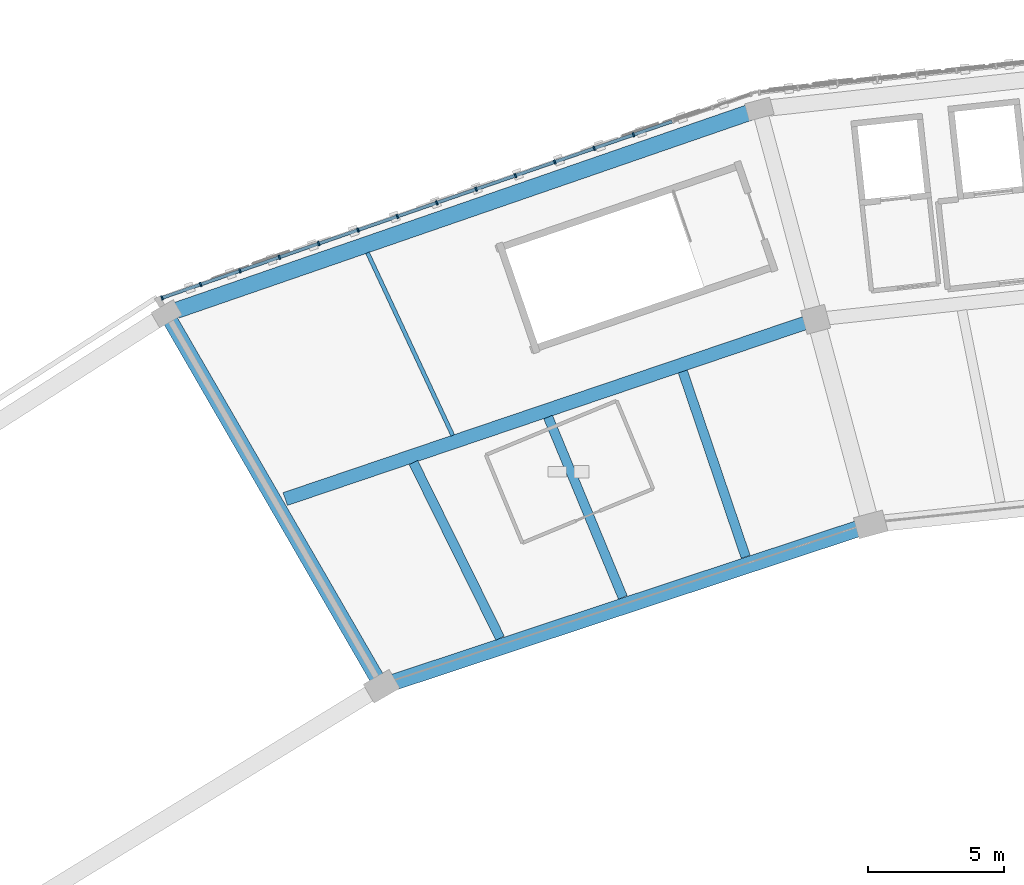
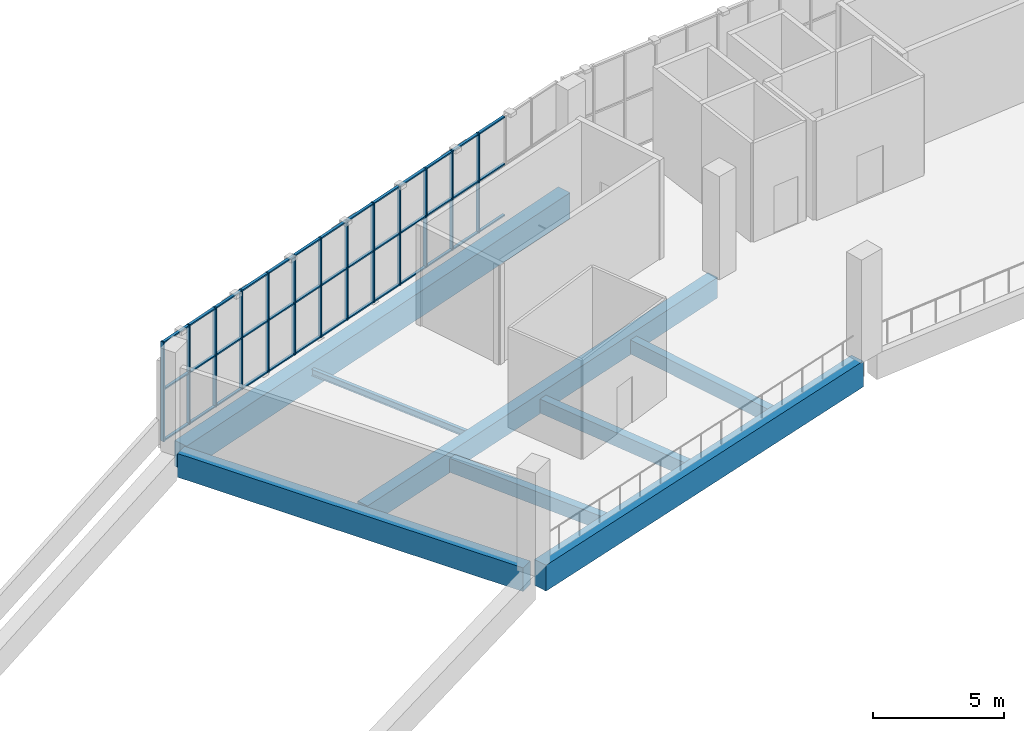
# One storey, part 25 of 64: 52 members, 8 beams, 1 element without a shape of its own.
"""IFC4 building model written with IfcOpenShell, lengths in metres."""

from ifc_helpers import new_model, si_unit, direction, frame, origin, origin_2d, place, context, subcontext, project, spatial, rectangle, i_section, extrude, material, material_profile, profile_set, type_object, element, aggregate, save


model = new_model("IFC4")

# Units and contexts
model_context = context("Model", 3, precision=1e-05, world=origin(), true_north=direction((0.0, 1.0)))
body_context = subcontext(model_context, "Body", "Model", "MODEL_VIEW")
ifc_project = project(units=[si_unit("LENGTHUNIT", "METRE"), si_unit("AREAUNIT", "SQUARE_METRE"), si_unit("VOLUMEUNIT", "CUBIC_METRE"), si_unit("PLANEANGLEUNIT", "RADIAN"), si_unit("MASSUNIT", "GRAM", prefix="KILO")], contexts=[model_context])

# Site, building, storey
site_placement = place(None, origin())
site = spatial("IfcSite", under=ifc_project, at=site_placement, CompositionType="ELEMENT")
building_placement = place(site_placement, origin())
building = spatial("IfcBuilding", under=site, at=building_placement, Name="Zevraka Park Crest Stadium", CompositionType="ELEMENT")
storey_placement = place(building_placement, frame((0.0, 0.0, 24.60009765625)))
storey = spatial("IfcBuildingStorey", under=building, at=storey_placement, Name="L05", CompositionType="ELEMENT", Elevation=24.60009765625)

# Beam
ifc_material_1 = material(Name="Concrete C40/50", Category="concrete")
ifc_material_profile_1 = material_profile(ifc_material_1, rectangle(XDim=0.550048828125, YDim=1.10009765625, at=origin_2d()), Name="RC 1100x550")
ifc_profile_set_1 = profile_set([ifc_material_profile_1], Name="Concrete C40/50")
beam_type_1 = type_object("IfcBeamType", Name="BG02", PredefinedType="BEAM", material=ifc_profile_set_1)
beam_1_placement = place(storey_placement, frame((74.60009765625, 143.7890625, -0.56005859375), z_axis=(-0.500026023896, 0.86601037836, 0.0), x_axis=(-0.86601037836, -0.500026023896, 0.0)))
element("IfcBeam", 1, at=beam_1_placement, inside=storey, type_object=beam_type_1, Name="Radial Girder BG02 L05-BD-08", PredefinedType="BEAM", context=body_context, shape_type="SweptSolid", body=[
    extrude(rectangle(XDim=0.550048828125, YDim=1.10009765625, at=origin_2d()), origin(), (0.0, 0.0, 1.0), 15.199462890625),
])

# Curtain wall, members
ifc_material_2 = material(Name="Anodised architectural aluminium and laminated safety glass", Category="aluminium")
curtain_wall_type = type_object("IfcCurtainWallType", Name="CW22", PredefinedType="NOTDEFINED", material=ifc_material_2)
curtain_wall_placement = place(storey_placement, origin())
curtain_wall = element("IfcCurtainWall", 2, at=curtain_wall_placement, inside=storey, type_object=curtain_wall_type, Name="Unitised Ring Curtain Wall CW22 L05-07", PredefinedType="NOTDEFINED")
ifc_material_3 = material(Name="Anodised architectural aluminium", Category="aluminium")
ifc_material_profile_2 = material_profile(ifc_material_3, rectangle(XDim=0.159912109375, YDim=0.06005859375, at=origin_2d()), Name="ALU MULLION 160x60")
ifc_profile_set_2 = profile_set([ifc_material_profile_2], Name="Anodised architectural aluminium")
member_type_1 = type_object("IfcMemberType", Name="CM01", PredefinedType="MULLION", material=ifc_profile_set_2)
member_1_placement = place(storey_placement, frame((84.00439453125, 163.788818359375, 0.0), z_axis=(0.0, 0.0, 1.0), x_axis=(0.326929424834, -0.945048755979, 0.0)))
member_1 = element("IfcMember", 3, at=member_1_placement, type_object=member_type_1, Name="CW22 mullion 4", PredefinedType="MULLION", context=body_context, shape_type="SweptSolid", body=[
    extrude(rectangle(XDim=0.159912109375, YDim=0.06005859375, at=origin_2d()), origin(), (0.0, 0.0, 1.0), 4.619873046875),
])
member_2_placement = place(storey_placement, frame((82.558837890625, 163.288818359375, 0.0), z_axis=(0.0, 0.0, 1.0), x_axis=(0.326929424834, -0.945048755979, 0.0)))
member_2 = element("IfcMember", 4, at=member_2_placement, type_object=member_type_1, Name="CW22 mullion 5", PredefinedType="MULLION", context=body_context, shape_type="SweptSolid", body=[
    extrude(rectangle(XDim=0.159912109375, YDim=0.06005859375, at=origin_2d()), origin(), (0.0, 0.0, 1.0), 4.619873046875),
])
member_3_placement = place(storey_placement, frame((81.11328125, 162.78857421875, 0.0), z_axis=(0.0, 0.0, 1.0), x_axis=(0.326929424834, -0.945048755979, 0.0)))
member_3 = element("IfcMember", 5, at=member_3_placement, type_object=member_type_1, Name="CW22 mullion 6", PredefinedType="MULLION", context=body_context, shape_type="SweptSolid", body=[
    extrude(rectangle(XDim=0.159912109375, YDim=0.06005859375, at=origin_2d()), origin(), (0.0, 0.0, 1.0), 4.619873046875),
])
member_4_placement = place(storey_placement, frame((79.667724609375, 162.28857421875, 0.0), z_axis=(0.0, 0.0, 1.0), x_axis=(0.326929424834, -0.945048755979, 0.0)))
member_4 = element("IfcMember", 6, at=member_4_placement, type_object=member_type_1, Name="CW22 mullion 7", PredefinedType="MULLION", context=body_context, shape_type="SweptSolid", body=[
    extrude(rectangle(XDim=0.159912109375, YDim=0.06005859375, at=origin_2d()), origin(), (0.0, 0.0, 1.0), 4.619873046875),
])
member_5_placement = place(storey_placement, frame((78.22216796875, 161.78857421875, 0.0), z_axis=(0.0, 0.0, 1.0), x_axis=(0.326929424834, -0.945048755979, 0.0)))
member_5 = element("IfcMember", 7, at=member_5_placement, type_object=member_type_1, Name="CW22 mullion 8", PredefinedType="MULLION", context=body_context, shape_type="SweptSolid", body=[
    extrude(rectangle(XDim=0.159912109375, YDim=0.06005859375, at=origin_2d()), origin(), (0.0, 0.0, 1.0), 4.619873046875),
])
member_6_placement = place(storey_placement, frame((76.776611328125, 161.28857421875, 0.0), z_axis=(0.0, 0.0, 1.0), x_axis=(0.326929424834, -0.945048755979, 0.0)))
member_6 = element("IfcMember", 8, at=member_6_placement, type_object=member_type_1, Name="CW22 mullion 9", PredefinedType="MULLION", context=body_context, shape_type="SweptSolid", body=[
    extrude(rectangle(XDim=0.159912109375, YDim=0.06005859375, at=origin_2d()), origin(), (0.0, 0.0, 1.0), 4.619873046875),
])
member_7_placement = place(storey_placement, frame((75.331298828125, 160.788330078125, 0.0), z_axis=(0.0, 0.0, 1.0), x_axis=(0.326929424834, -0.945048755979, 0.0)))
member_7 = element("IfcMember", 9, at=member_7_placement, type_object=member_type_1, Name="CW22 mullion 10", PredefinedType="MULLION", context=body_context, shape_type="SweptSolid", body=[
    extrude(rectangle(XDim=0.159912109375, YDim=0.06005859375, at=origin_2d()), origin(), (0.0, 0.0, 1.0), 4.619873046875),
])
member_8_placement = place(storey_placement, frame((73.8857421875, 160.288330078125, 0.0), z_axis=(0.0, 0.0, 1.0), x_axis=(0.326929424834, -0.945048755979, 0.0)))
member_8 = element("IfcMember", 10, at=member_8_placement, type_object=member_type_1, Name="CW22 mullion 11", PredefinedType="MULLION", context=body_context, shape_type="SweptSolid", body=[
    extrude(rectangle(XDim=0.159912109375, YDim=0.06005859375, at=origin_2d()), origin(), (0.0, 0.0, 1.0), 4.619873046875),
])
member_9_placement = place(storey_placement, frame((72.440185546875, 159.788330078125, 0.0), z_axis=(0.0, 0.0, 1.0), x_axis=(0.326929424834, -0.945048755979, 0.0)))
member_9 = element("IfcMember", 11, at=member_9_placement, type_object=member_type_1, Name="CW22 mullion 12", PredefinedType="MULLION", context=body_context, shape_type="SweptSolid", body=[
    extrude(rectangle(XDim=0.159912109375, YDim=0.06005859375, at=origin_2d()), origin(), (0.0, 0.0, 1.0), 4.619873046875),
])
member_10_placement = place(storey_placement, frame((70.99462890625, 159.2880859375, 0.0), z_axis=(0.0, 0.0, 1.0), x_axis=(0.326929424834, -0.945048755979, 0.0)))
member_10 = element("IfcMember", 12, at=member_10_placement, type_object=member_type_1, Name="CW22 mullion 13", PredefinedType="MULLION", context=body_context, shape_type="SweptSolid", body=[
    extrude(rectangle(XDim=0.159912109375, YDim=0.06005859375, at=origin_2d()), origin(), (0.0, 0.0, 1.0), 4.619873046875),
])
member_11_placement = place(storey_placement, frame((69.549072265625, 158.7880859375, 0.0), z_axis=(0.0, 0.0, 1.0), x_axis=(0.326929424834, -0.945048755979, 0.0)))
member_11 = element("IfcMember", 13, at=member_11_placement, type_object=member_type_1, Name="CW22 mullion 14", PredefinedType="MULLION", context=body_context, shape_type="SweptSolid", body=[
    extrude(rectangle(XDim=0.159912109375, YDim=0.06005859375, at=origin_2d()), origin(), (0.0, 0.0, 1.0), 4.619873046875),
])
member_12_placement = place(storey_placement, frame((68.103515625, 158.2880859375, 0.0), z_axis=(0.0, 0.0, 1.0), x_axis=(0.326929424834, -0.945048755979, 0.0)))
member_12 = element("IfcMember", 14, at=member_12_placement, type_object=member_type_1, Name="CW22 mullion 15", PredefinedType="MULLION", context=body_context, shape_type="SweptSolid", body=[
    extrude(rectangle(XDim=0.159912109375, YDim=0.06005859375, at=origin_2d()), origin(), (0.0, 0.0, 1.0), 4.619873046875),
])
member_13_placement = place(storey_placement, frame((66.686279296875, 157.7978515625, 0.0), z_axis=(0.0, 0.0, 1.0), x_axis=(0.326929424834, -0.945048755979, 0.0)))
member_13 = element("IfcMember", 15, at=member_13_placement, type_object=member_type_1, Name="CW22 mullion 16", PredefinedType="MULLION", context=body_context, shape_type="SweptSolid", body=[
    extrude(rectangle(XDim=0.159912109375, YDim=0.06005859375, at=origin_2d()), origin(), (0.0, 0.0, 1.0), 4.619873046875),
])
ifc_material_4 = material(Name="Anodised architectural aluminium", Category="aluminium")
ifc_material_profile_3 = material_profile(ifc_material_4, rectangle(XDim=0.1201171875, YDim=0.06005859375, at=origin_2d()), Name="ALU TRANSOM 120x60")
ifc_profile_set_3 = profile_set([ifc_material_profile_3], Name="Anodised architectural aluminium")
member_type_2 = type_object("IfcMemberType", Name="CT01", PredefinedType="USERDEFINED", material=ifc_profile_set_3)
member_14_placement = place(storey_placement, frame((85.421630859375, 164.279052734375, 0.02978515625), z_axis=(-0.945051229525, -0.326922274513, 0.0), x_axis=(0.326922274513, -0.945051229525, 0.0)))
member_14 = element("IfcMember", 16, at=member_14_placement, type_object=member_type_2, Name="CW22 transom 3.1", ObjectType="TRANSOM", PredefinedType="USERDEFINED", context=body_context, shape_type="SweptSolid", body=[
    extrude(rectangle(XDim=0.1201171875, YDim=0.06005859375, at=origin_2d()), origin(), (0.0, 0.0, 1.0), 1.4697265625),
])
member_15_placement = place(storey_placement, frame((85.421630859375, 164.279052734375, 2.39990234375), z_axis=(-0.945051229525, -0.326922274513, 0.0), x_axis=(0.326922274513, -0.945051229525, 0.0)))
member_15 = element("IfcMember", 17, at=member_15_placement, type_object=member_type_2, Name="CW22 transom 3.2", ObjectType="TRANSOM", PredefinedType="USERDEFINED", context=body_context, shape_type="SweptSolid", body=[
    extrude(rectangle(XDim=0.1201171875, YDim=0.06005859375, at=origin_2d()), origin(), (0.0, 0.0, 1.0), 1.4697265625),
])
member_16_placement = place(storey_placement, frame((85.421630859375, 164.279052734375, 4.58984375), z_axis=(-0.945051229525, -0.326922274513, 0.0), x_axis=(0.326922274513, -0.945051229525, 0.0)))
member_16 = element("IfcMember", 18, at=member_16_placement, type_object=member_type_2, Name="CW22 transom 3.3", ObjectType="TRANSOM", PredefinedType="USERDEFINED", context=body_context, shape_type="SweptSolid", body=[
    extrude(rectangle(XDim=0.1201171875, YDim=0.06005859375, at=origin_2d()), origin(), (0.0, 0.0, 1.0), 1.4697265625),
])
member_17_placement = place(storey_placement, frame((83.97607421875, 163.779052734375, 0.02978515625), z_axis=(-0.945051229525, -0.326922274513, 0.0), x_axis=(0.326922274513, -0.945051229525, 0.0)))
member_17 = element("IfcMember", 19, at=member_17_placement, type_object=member_type_2, Name="CW22 transom 4.1", ObjectType="TRANSOM", PredefinedType="USERDEFINED", context=body_context, shape_type="SweptSolid", body=[
    extrude(rectangle(XDim=0.1201171875, YDim=0.06005859375, at=origin_2d()), origin(), (0.0, 0.0, 1.0), 1.4697265625),
])
member_18_placement = place(storey_placement, frame((83.97607421875, 163.779052734375, 2.39990234375), z_axis=(-0.945051229525, -0.326922274513, 0.0), x_axis=(0.326922274513, -0.945051229525, 0.0)))
member_18 = element("IfcMember", 20, at=member_18_placement, type_object=member_type_2, Name="CW22 transom 4.2", ObjectType="TRANSOM", PredefinedType="USERDEFINED", context=body_context, shape_type="SweptSolid", body=[
    extrude(rectangle(XDim=0.1201171875, YDim=0.06005859375, at=origin_2d()), origin(), (0.0, 0.0, 1.0), 1.4697265625),
])
member_19_placement = place(storey_placement, frame((83.97607421875, 163.779052734375, 4.58984375), z_axis=(-0.945051229525, -0.326922274513, 0.0), x_axis=(0.326922274513, -0.945051229525, 0.0)))
member_19 = element("IfcMember", 21, at=member_19_placement, type_object=member_type_2, Name="CW22 transom 4.3", ObjectType="TRANSOM", PredefinedType="USERDEFINED", context=body_context, shape_type="SweptSolid", body=[
    extrude(rectangle(XDim=0.1201171875, YDim=0.06005859375, at=origin_2d()), origin(), (0.0, 0.0, 1.0), 1.4697265625),
])
member_20_placement = place(storey_placement, frame((82.530517578125, 163.27880859375, 0.02978515625), z_axis=(-0.945102544521, -0.326773897886, 0.0), x_axis=(0.326773897886, -0.945102544521, 0.0)))
member_20 = element("IfcMember", 22, at=member_20_placement, type_object=member_type_2, Name="CW22 transom 5.1", ObjectType="TRANSOM", PredefinedType="USERDEFINED", context=body_context, shape_type="SweptSolid", body=[
    extrude(rectangle(XDim=0.1201171875, YDim=0.06005859375, at=origin_2d()), origin(), (0.0, 0.0, 1.0), 1.469482421875),
])
member_21_placement = place(storey_placement, frame((82.530517578125, 163.27880859375, 2.39990234375), z_axis=(-0.945102544521, -0.326773897886, 0.0), x_axis=(0.326773897886, -0.945102544521, 0.0)))
member_21 = element("IfcMember", 23, at=member_21_placement, type_object=member_type_2, Name="CW22 transom 5.2", ObjectType="TRANSOM", PredefinedType="USERDEFINED", context=body_context, shape_type="SweptSolid", body=[
    extrude(rectangle(XDim=0.1201171875, YDim=0.06005859375, at=origin_2d()), origin(), (0.0, 0.0, 1.0), 1.469482421875),
])
member_22_placement = place(storey_placement, frame((82.530517578125, 163.27880859375, 4.58984375), z_axis=(-0.945102544521, -0.326773897886, 0.0), x_axis=(0.326773897886, -0.945102544521, 0.0)))
member_22 = element("IfcMember", 24, at=member_22_placement, type_object=member_type_2, Name="CW22 transom 5.3", ObjectType="TRANSOM", PredefinedType="USERDEFINED", context=body_context, shape_type="SweptSolid", body=[
    extrude(rectangle(XDim=0.1201171875, YDim=0.06005859375, at=origin_2d()), origin(), (0.0, 0.0, 1.0), 1.469482421875),
])
member_23_placement = place(storey_placement, frame((81.0849609375, 162.77880859375, 0.02978515625), z_axis=(-0.945051229525, -0.326922274513, 0.0), x_axis=(0.326922274513, -0.945051229525, 0.0)))
member_23 = element("IfcMember", 25, at=member_23_placement, type_object=member_type_2, Name="CW22 transom 6.1", ObjectType="TRANSOM", PredefinedType="USERDEFINED", context=body_context, shape_type="SweptSolid", body=[
    extrude(rectangle(XDim=0.1201171875, YDim=0.06005859375, at=origin_2d()), origin(), (0.0, 0.0, 1.0), 1.4697265625),
])
member_24_placement = place(storey_placement, frame((81.0849609375, 162.77880859375, 2.39990234375), z_axis=(-0.945051229525, -0.326922274513, 0.0), x_axis=(0.326922274513, -0.945051229525, 0.0)))
member_24 = element("IfcMember", 26, at=member_24_placement, type_object=member_type_2, Name="CW22 transom 6.2", ObjectType="TRANSOM", PredefinedType="USERDEFINED", context=body_context, shape_type="SweptSolid", body=[
    extrude(rectangle(XDim=0.1201171875, YDim=0.06005859375, at=origin_2d()), origin(), (0.0, 0.0, 1.0), 1.4697265625),
])
member_25_placement = place(storey_placement, frame((81.0849609375, 162.77880859375, 4.58984375), z_axis=(-0.945051229525, -0.326922274513, 0.0), x_axis=(0.326922274513, -0.945051229525, 0.0)))
member_25 = element("IfcMember", 27, at=member_25_placement, type_object=member_type_2, Name="CW22 transom 6.3", ObjectType="TRANSOM", PredefinedType="USERDEFINED", context=body_context, shape_type="SweptSolid", body=[
    extrude(rectangle(XDim=0.1201171875, YDim=0.06005859375, at=origin_2d()), origin(), (0.0, 0.0, 1.0), 1.4697265625),
])
member_26_placement = place(storey_placement, frame((79.639404296875, 162.27880859375, 0.02978515625), z_axis=(-0.945033470844, -0.326973605946, 0.0), x_axis=(0.326973605946, -0.945033470844, 0.0)))
member_26 = element("IfcMember", 28, at=member_26_placement, type_object=member_type_2, Name="CW22 transom 7.1", ObjectType="TRANSOM", PredefinedType="USERDEFINED", context=body_context, shape_type="SweptSolid", body=[
    extrude(rectangle(XDim=0.1201171875, YDim=0.06005859375, at=origin_2d()), origin(), (0.0, 0.0, 1.0), 1.469482421875),
])
member_27_placement = place(storey_placement, frame((79.639404296875, 162.27880859375, 2.39990234375), z_axis=(-0.945033470844, -0.326973605946, 0.0), x_axis=(0.326973605946, -0.945033470844, 0.0)))
member_27 = element("IfcMember", 29, at=member_27_placement, type_object=member_type_2, Name="CW22 transom 7.2", ObjectType="TRANSOM", PredefinedType="USERDEFINED", context=body_context, shape_type="SweptSolid", body=[
    extrude(rectangle(XDim=0.1201171875, YDim=0.06005859375, at=origin_2d()), origin(), (0.0, 0.0, 1.0), 1.469482421875),
])
member_28_placement = place(storey_placement, frame((79.639404296875, 162.27880859375, 4.58984375), z_axis=(-0.945033470844, -0.326973605946, 0.0), x_axis=(0.326973605946, -0.945033470844, 0.0)))
member_28 = element("IfcMember", 30, at=member_28_placement, type_object=member_type_2, Name="CW22 transom 7.3", ObjectType="TRANSOM", PredefinedType="USERDEFINED", context=body_context, shape_type="SweptSolid", body=[
    extrude(rectangle(XDim=0.1201171875, YDim=0.06005859375, at=origin_2d()), origin(), (0.0, 0.0, 1.0), 1.469482421875),
])
member_29_placement = place(storey_placement, frame((78.19384765625, 161.77880859375, 0.02978515625), z_axis=(-0.945033470844, -0.326973605946, 0.0), x_axis=(0.326973605946, -0.945033470844, 0.0)))
member_29 = element("IfcMember", 31, at=member_29_placement, type_object=member_type_2, Name="CW22 transom 8.1", ObjectType="TRANSOM", PredefinedType="USERDEFINED", context=body_context, shape_type="SweptSolid", body=[
    extrude(rectangle(XDim=0.1201171875, YDim=0.06005859375, at=origin_2d()), origin(), (0.0, 0.0, 1.0), 1.469482421875),
])
member_30_placement = place(storey_placement, frame((78.19384765625, 161.77880859375, 2.39990234375), z_axis=(-0.945033470844, -0.326973605946, 0.0), x_axis=(0.326973605946, -0.945033470844, 0.0)))
member_30 = element("IfcMember", 32, at=member_30_placement, type_object=member_type_2, Name="CW22 transom 8.2", ObjectType="TRANSOM", PredefinedType="USERDEFINED", context=body_context, shape_type="SweptSolid", body=[
    extrude(rectangle(XDim=0.1201171875, YDim=0.06005859375, at=origin_2d()), origin(), (0.0, 0.0, 1.0), 1.469482421875),
])
member_31_placement = place(storey_placement, frame((78.19384765625, 161.77880859375, 4.58984375), z_axis=(-0.945033470844, -0.326973605946, 0.0), x_axis=(0.326973605946, -0.945033470844, 0.0)))
member_31 = element("IfcMember", 33, at=member_31_placement, type_object=member_type_2, Name="CW22 transom 8.3", ObjectType="TRANSOM", PredefinedType="USERDEFINED", context=body_context, shape_type="SweptSolid", body=[
    extrude(rectangle(XDim=0.1201171875, YDim=0.06005859375, at=origin_2d()), origin(), (0.0, 0.0, 1.0), 1.469482421875),
])
member_32_placement = place(storey_placement, frame((76.748291015625, 161.278564453125, 0.02978515625), z_axis=(-0.945033470844, -0.326973605946, 0.0), x_axis=(0.326973605946, -0.945033470844, 0.0)))
member_32 = element("IfcMember", 34, at=member_32_placement, type_object=member_type_2, Name="CW22 transom 9.1", ObjectType="TRANSOM", PredefinedType="USERDEFINED", context=body_context, shape_type="SweptSolid", body=[
    extrude(rectangle(XDim=0.1201171875, YDim=0.06005859375, at=origin_2d()), origin(), (0.0, 0.0, 1.0), 1.469482421875),
])
member_33_placement = place(storey_placement, frame((76.748291015625, 161.278564453125, 2.39990234375), z_axis=(-0.945033470844, -0.326973605946, 0.0), x_axis=(0.326973605946, -0.945033470844, 0.0)))
member_33 = element("IfcMember", 35, at=member_33_placement, type_object=member_type_2, Name="CW22 transom 9.2", ObjectType="TRANSOM", PredefinedType="USERDEFINED", context=body_context, shape_type="SweptSolid", body=[
    extrude(rectangle(XDim=0.1201171875, YDim=0.06005859375, at=origin_2d()), origin(), (0.0, 0.0, 1.0), 1.469482421875),
])
member_34_placement = place(storey_placement, frame((76.748291015625, 161.278564453125, 4.58984375), z_axis=(-0.945033470844, -0.326973605946, 0.0), x_axis=(0.326973605946, -0.945033470844, 0.0)))
member_34 = element("IfcMember", 36, at=member_34_placement, type_object=member_type_2, Name="CW22 transom 9.3", ObjectType="TRANSOM", PredefinedType="USERDEFINED", context=body_context, shape_type="SweptSolid", body=[
    extrude(rectangle(XDim=0.1201171875, YDim=0.06005859375, at=origin_2d()), origin(), (0.0, 0.0, 1.0), 1.469482421875),
])
member_35_placement = place(storey_placement, frame((75.302734375, 160.778564453125, 0.02978515625), z_axis=(-0.945033470844, -0.326973605946, 0.0), x_axis=(0.326973605946, -0.945033470844, 0.0)))
member_35 = element("IfcMember", 37, at=member_35_placement, type_object=member_type_2, Name="CW22 transom 10.1", ObjectType="TRANSOM", PredefinedType="USERDEFINED", context=body_context, shape_type="SweptSolid", body=[
    extrude(rectangle(XDim=0.1201171875, YDim=0.06005859375, at=origin_2d()), origin(), (0.0, 0.0, 1.0), 1.469482421875),
])
member_36_placement = place(storey_placement, frame((75.302734375, 160.778564453125, 2.39990234375), z_axis=(-0.945033470844, -0.326973605946, 0.0), x_axis=(0.326973605946, -0.945033470844, 0.0)))
member_36 = element("IfcMember", 38, at=member_36_placement, type_object=member_type_2, Name="CW22 transom 10.2", ObjectType="TRANSOM", PredefinedType="USERDEFINED", context=body_context, shape_type="SweptSolid", body=[
    extrude(rectangle(XDim=0.1201171875, YDim=0.06005859375, at=origin_2d()), origin(), (0.0, 0.0, 1.0), 1.469482421875),
])
member_37_placement = place(storey_placement, frame((75.302734375, 160.778564453125, 4.58984375), z_axis=(-0.945033470844, -0.326973605946, 0.0), x_axis=(0.326973605946, -0.945033470844, 0.0)))
member_37 = element("IfcMember", 39, at=member_37_placement, type_object=member_type_2, Name="CW22 transom 10.3", ObjectType="TRANSOM", PredefinedType="USERDEFINED", context=body_context, shape_type="SweptSolid", body=[
    extrude(rectangle(XDim=0.1201171875, YDim=0.06005859375, at=origin_2d()), origin(), (0.0, 0.0, 1.0), 1.469482421875),
])
member_38_placement = place(storey_placement, frame((73.857421875, 160.278564453125, 0.02978515625), z_axis=(-0.945051229525, -0.326922274513, 0.0), x_axis=(0.326922274513, -0.945051229525, 0.0)))
member_38 = element("IfcMember", 40, at=member_38_placement, type_object=member_type_2, Name="CW22 transom 11.1", ObjectType="TRANSOM", PredefinedType="USERDEFINED", context=body_context, shape_type="SweptSolid", body=[
    extrude(rectangle(XDim=0.1201171875, YDim=0.06005859375, at=origin_2d()), origin(), (0.0, 0.0, 1.0), 1.4697265625),
])
member_39_placement = place(storey_placement, frame((73.857421875, 160.278564453125, 2.39990234375), z_axis=(-0.945051229525, -0.326922274513, 0.0), x_axis=(0.326922274513, -0.945051229525, 0.0)))
member_39 = element("IfcMember", 41, at=member_39_placement, type_object=member_type_2, Name="CW22 transom 11.2", ObjectType="TRANSOM", PredefinedType="USERDEFINED", context=body_context, shape_type="SweptSolid", body=[
    extrude(rectangle(XDim=0.1201171875, YDim=0.06005859375, at=origin_2d()), origin(), (0.0, 0.0, 1.0), 1.4697265625),
])
member_40_placement = place(storey_placement, frame((73.857421875, 160.278564453125, 4.58984375), z_axis=(-0.945051229525, -0.326922274513, 0.0), x_axis=(0.326922274513, -0.945051229525, 0.0)))
member_40 = element("IfcMember", 42, at=member_40_placement, type_object=member_type_2, Name="CW22 transom 11.3", ObjectType="TRANSOM", PredefinedType="USERDEFINED", context=body_context, shape_type="SweptSolid", body=[
    extrude(rectangle(XDim=0.1201171875, YDim=0.06005859375, at=origin_2d()), origin(), (0.0, 0.0, 1.0), 1.4697265625),
])
member_41_placement = place(storey_placement, frame((72.411865234375, 159.778564453125, 0.02978515625), z_axis=(-0.945051229525, -0.326922274513, 0.0), x_axis=(0.326922274513, -0.945051229525, 0.0)))
member_41 = element("IfcMember", 43, at=member_41_placement, type_object=member_type_2, Name="CW22 transom 12.1", ObjectType="TRANSOM", PredefinedType="USERDEFINED", context=body_context, shape_type="SweptSolid", body=[
    extrude(rectangle(XDim=0.1201171875, YDim=0.06005859375, at=origin_2d()), origin(), (0.0, 0.0, 1.0), 1.4697265625),
])
member_42_placement = place(storey_placement, frame((72.411865234375, 159.778564453125, 2.39990234375), z_axis=(-0.945051229525, -0.326922274513, 0.0), x_axis=(0.326922274513, -0.945051229525, 0.0)))
member_42 = element("IfcMember", 44, at=member_42_placement, type_object=member_type_2, Name="CW22 transom 12.2", ObjectType="TRANSOM", PredefinedType="USERDEFINED", context=body_context, shape_type="SweptSolid", body=[
    extrude(rectangle(XDim=0.1201171875, YDim=0.06005859375, at=origin_2d()), origin(), (0.0, 0.0, 1.0), 1.4697265625),
])
member_43_placement = place(storey_placement, frame((72.411865234375, 159.778564453125, 4.58984375), z_axis=(-0.945051229525, -0.326922274513, 0.0), x_axis=(0.326922274513, -0.945051229525, 0.0)))
member_43 = element("IfcMember", 45, at=member_43_placement, type_object=member_type_2, Name="CW22 transom 12.3", ObjectType="TRANSOM", PredefinedType="USERDEFINED", context=body_context, shape_type="SweptSolid", body=[
    extrude(rectangle(XDim=0.1201171875, YDim=0.06005859375, at=origin_2d()), origin(), (0.0, 0.0, 1.0), 1.4697265625),
])
member_44_placement = place(storey_placement, frame((70.96630859375, 159.2783203125, 0.02978515625), z_axis=(-0.945051229525, -0.326922274513, 0.0), x_axis=(0.326922274513, -0.945051229525, 0.0)))
member_44 = element("IfcMember", 46, at=member_44_placement, type_object=member_type_2, Name="CW22 transom 13.1", ObjectType="TRANSOM", PredefinedType="USERDEFINED", context=body_context, shape_type="SweptSolid", body=[
    extrude(rectangle(XDim=0.1201171875, YDim=0.06005859375, at=origin_2d()), origin(), (0.0, 0.0, 1.0), 1.4697265625),
])
member_45_placement = place(storey_placement, frame((70.96630859375, 159.2783203125, 2.39990234375), z_axis=(-0.945051229525, -0.326922274513, 0.0), x_axis=(0.326922274513, -0.945051229525, 0.0)))
member_45 = element("IfcMember", 47, at=member_45_placement, type_object=member_type_2, Name="CW22 transom 13.2", ObjectType="TRANSOM", PredefinedType="USERDEFINED", context=body_context, shape_type="SweptSolid", body=[
    extrude(rectangle(XDim=0.1201171875, YDim=0.06005859375, at=origin_2d()), origin(), (0.0, 0.0, 1.0), 1.4697265625),
])
member_46_placement = place(storey_placement, frame((70.96630859375, 159.2783203125, 4.58984375), z_axis=(-0.945051229525, -0.326922274513, 0.0), x_axis=(0.326922274513, -0.945051229525, 0.0)))
member_46 = element("IfcMember", 48, at=member_46_placement, type_object=member_type_2, Name="CW22 transom 13.3", ObjectType="TRANSOM", PredefinedType="USERDEFINED", context=body_context, shape_type="SweptSolid", body=[
    extrude(rectangle(XDim=0.1201171875, YDim=0.06005859375, at=origin_2d()), origin(), (0.0, 0.0, 1.0), 1.4697265625),
])
member_47_placement = place(storey_placement, frame((69.520751953125, 158.7783203125, 0.02978515625), z_axis=(-0.945051229525, -0.326922274513, 0.0), x_axis=(0.326922274513, -0.945051229525, 0.0)))
member_47 = element("IfcMember", 49, at=member_47_placement, type_object=member_type_2, Name="CW22 transom 14.1", ObjectType="TRANSOM", PredefinedType="USERDEFINED", context=body_context, shape_type="SweptSolid", body=[
    extrude(rectangle(XDim=0.1201171875, YDim=0.06005859375, at=origin_2d()), origin(), (0.0, 0.0, 1.0), 1.4697265625),
])
member_48_placement = place(storey_placement, frame((69.520751953125, 158.7783203125, 2.39990234375), z_axis=(-0.945051229525, -0.326922274513, 0.0), x_axis=(0.326922274513, -0.945051229525, 0.0)))
member_48 = element("IfcMember", 50, at=member_48_placement, type_object=member_type_2, Name="CW22 transom 14.2", ObjectType="TRANSOM", PredefinedType="USERDEFINED", context=body_context, shape_type="SweptSolid", body=[
    extrude(rectangle(XDim=0.1201171875, YDim=0.06005859375, at=origin_2d()), origin(), (0.0, 0.0, 1.0), 1.4697265625),
])
member_49_placement = place(storey_placement, frame((69.520751953125, 158.7783203125, 4.58984375), z_axis=(-0.945051229525, -0.326922274513, 0.0), x_axis=(0.326922274513, -0.945051229525, 0.0)))
member_49 = element("IfcMember", 51, at=member_49_placement, type_object=member_type_2, Name="CW22 transom 14.3", ObjectType="TRANSOM", PredefinedType="USERDEFINED", context=body_context, shape_type="SweptSolid", body=[
    extrude(rectangle(XDim=0.1201171875, YDim=0.06005859375, at=origin_2d()), origin(), (0.0, 0.0, 1.0), 1.4697265625),
])
member_50_placement = place(storey_placement, frame((68.0751953125, 158.2783203125, 0.02978515625), z_axis=(-0.945044524948, -0.326941655141, 0.0), x_axis=(0.326941655141, -0.945044524948, 0.0)))
member_50 = element("IfcMember", 52, at=member_50_placement, type_object=member_type_2, Name="CW22 transom 15.1", ObjectType="TRANSOM", PredefinedType="USERDEFINED", context=body_context, shape_type="SweptSolid", body=[
    extrude(rectangle(XDim=0.1201171875, YDim=0.06005859375, at=origin_2d()), origin(), (0.0, 0.0, 1.0), 1.439697265625),
])
member_51_placement = place(storey_placement, frame((68.0751953125, 158.2783203125, 2.39990234375), z_axis=(-0.945044524948, -0.326941655141, 0.0), x_axis=(0.326941655141, -0.945044524948, 0.0)))
member_51 = element("IfcMember", 53, at=member_51_placement, type_object=member_type_2, Name="CW22 transom 15.2", ObjectType="TRANSOM", PredefinedType="USERDEFINED", context=body_context, shape_type="SweptSolid", body=[
    extrude(rectangle(XDim=0.1201171875, YDim=0.06005859375, at=origin_2d()), origin(), (0.0, 0.0, 1.0), 1.439697265625),
])
member_52_placement = place(storey_placement, frame((68.0751953125, 158.2783203125, 4.58984375), z_axis=(-0.945044524948, -0.326941655141, 0.0), x_axis=(0.326941655141, -0.945044524948, 0.0)))
member_52 = element("IfcMember", 54, at=member_52_placement, type_object=member_type_2, Name="CW22 transom 15.3", ObjectType="TRANSOM", PredefinedType="USERDEFINED", context=body_context, shape_type="SweptSolid", body=[
    extrude(rectangle(XDim=0.1201171875, YDim=0.06005859375, at=origin_2d()), origin(), (0.0, 0.0, 1.0), 1.439697265625),
])
aggregate(curtain_wall, [member_1, member_2, member_3, member_4, member_5, member_6, member_7, member_8, member_9, member_10, member_11, member_12, member_13, member_14, member_15, member_16, member_17, member_18, member_19, member_20, member_21, member_22, member_23, member_24, member_25, member_26, member_27, member_28, member_29, member_30, member_31, member_32, member_33, member_34, member_35, member_36, member_37, member_38, member_39, member_40, member_41, member_42, member_43, member_44, member_45, member_46, member_47, member_48, member_49, member_50, member_51, member_52])

# Beams
ifc_material_5 = material(Name="Concrete C40/50", Category="concrete")
ifc_material_profile_4 = material_profile(ifc_material_5, rectangle(XDim=0.60009765625, YDim=1.199951171875, at=origin_2d()), Name="RC 1200x600")
ifc_profile_set_4 = profile_set([ifc_material_profile_4], Name="Concrete C40/50")
beam_type_2 = type_object("IfcBeamType", Name="RB01", PredefinedType="BEAM", material=ifc_profile_set_4)
beam_2_placement = place(storey_placement, frame((92.35693359375, 149.35400390625, -0.610107421875), z_axis=(-0.949383863235, -0.314118258349, 0.0), x_axis=(0.314118258349, -0.949383863235, 0.0)))
element("IfcBeam", 55, at=beam_2_placement, inside=storey, type_object=beam_type_2, Name="Ring Beam RB01 L05-B-07", PredefinedType="BEAM", context=body_context, shape_type="SweptSolid", body=[
    extrude(rectangle(XDim=0.60009765625, YDim=1.199951171875, at=origin_2d()), origin(), (0.0, 0.0, 1.0), 18.165283203125),
])
beam_3_placement = place(storey_placement, frame((88.27001953125, 164.610107421875, -0.610107421875), z_axis=(-0.945210431582, -0.326461697644, 0.0), x_axis=(0.326461697644, -0.945210431582, 0.0)))
element("IfcBeam", 56, at=beam_3_placement, inside=storey, type_object=beam_type_2, Name="Ring Beam RB01 L05-D-07", PredefinedType="BEAM", context=body_context, shape_type="SweptSolid", body=[
    extrude(rectangle(XDim=0.60009765625, YDim=1.199951171875, at=origin_2d()), origin(), (0.0, 0.0, 1.0), 22.28173828125),
])
ifc_material_6 = material(Name="Concrete C40/50", Category="concrete")
ifc_material_profile_5 = material_profile(ifc_material_6, rectangle(XDim=0.5, YDim=0.949951171875, at=origin_2d()), Name="RC 950x500")
ifc_profile_set_5 = profile_set([ifc_material_profile_5], Name="Concrete C40/50")
beam_type_3 = type_object("IfcBeamType", Name="RB02", PredefinedType="BEAM", material=ifc_profile_set_5)
beam_4_placement = place(storey_placement, frame((90.339111328125, 156.885009765625, -0.485107421875), z_axis=(-0.947147952377, -0.320797064058, 0.0), x_axis=(0.320797064058, -0.947147952377, 0.0)))
element("IfcBeam", 57, at=beam_4_placement, inside=storey, type_object=beam_type_3, Name="Ring Beam RB02 L05-C-07", PredefinedType="BEAM", context=body_context, shape_type="SweptSolid", body=[
    extrude(rectangle(XDim=0.5, YDim=0.949951171875, at=origin_2d()), origin(), (0.0, 0.0, 1.0), 20.196533203125),
])
ifc_material_7 = material(Name="Steel S355", Category="steel")
ifc_material_profile_6 = material_profile(ifc_material_7, i_section(OverallWidth=0.14990234375, OverallDepth=0.300048828125, WebThickness=0.007080078125, FlangeThickness=0.0107421875, at=origin_2d()), Name="IPE 300")
ifc_profile_set_6 = profile_set([ifc_material_profile_6], Name="Steel S355")
beam_type_4 = type_object("IfcBeamType", Name="SJ01", PredefinedType="JOIST", material=ifc_profile_set_6)
beam_5_placement = place(storey_placement, frame((77.363037109375, 152.7470703125, -0.418212890625), z_axis=(-0.422910754133, 0.906171338125, 0.0), x_axis=(-0.906171338125, -0.422910754133, 0.0)))
element("IfcBeam", 58, at=beam_5_placement, inside=storey, type_object=beam_type_4, Name="Floor Joist SJ01 L05-CD-07-2", PredefinedType="JOIST", context=body_context, shape_type="SweptSolid", body=[
    extrude(i_section(OverallWidth=0.14990234375, OverallDepth=0.300048828125, WebThickness=0.007080078125, FlangeThickness=0.0107421875, at=origin_2d()), origin(), (0.0, 0.0, 1.0), 7.399169921875),
])
ifc_material_8 = material(Name="Concrete C40/50", Category="concrete")
ifc_material_profile_7 = material_profile(ifc_material_8, rectangle(XDim=0.35009765625, YDim=0.64990234375, at=origin_2d()), Name="RC 650x350")
ifc_profile_set_7 = profile_set([ifc_material_profile_7], Name="Concrete C40/50")
beam_type_5 = type_object("IfcBeamType", Name="SJ06", PredefinedType="JOIST", material=ifc_profile_set_7)
beam_6_placement = place(storey_placement, frame((88.125, 148.284912109375, -0.593017578125), z_axis=(-0.321275682742, 0.946985710388, 0.0), x_axis=(-0.946985710388, -0.321275682742, 0.0)))
element("IfcBeam", 59, at=beam_6_placement, inside=storey, type_object=beam_type_5, Name="Floor Joist SJ06 L05-BC-07-1", PredefinedType="JOIST", context=body_context, shape_type="SweptSolid", body=[
    extrude(rectangle(XDim=0.35009765625, YDim=0.64990234375, at=origin_2d()), origin(), (0.0, 0.0, 1.0), 7.190185546875),
])
beam_7_placement = place(storey_placement, frame((83.613037109375, 146.7919921875, -0.593017578125), z_axis=(-0.382700487371, 0.923872467912, 0.0), x_axis=(-0.923872467912, -0.382700487371, 0.0)))
element("IfcBeam", 60, at=beam_7_placement, inside=storey, type_object=beam_type_5, Name="Floor Joist SJ06 L05-BC-07-2", PredefinedType="JOIST", context=body_context, shape_type="SweptSolid", body=[
    extrude(rectangle(XDim=0.35009765625, YDim=0.64990234375, at=origin_2d()), origin(), (0.0, 0.0, 1.0), 7.173095703125),
])
beam_8_placement = place(storey_placement, frame((79.10302734375, 145.297119140625, -0.593017578125), z_axis=(-0.442549118131, 0.896744265686, 0.0), x_axis=(-0.896744265686, -0.442549118131, 0.0)))
element("IfcBeam", 61, at=beam_8_placement, inside=storey, type_object=beam_type_5, Name="Floor Joist SJ06 L05-BC-07-3", PredefinedType="JOIST", context=body_context, shape_type="SweptSolid", body=[
    extrude(rectangle(XDim=0.35009765625, YDim=0.64990234375, at=origin_2d()), origin(), (0.0, 0.0, 1.0), 7.1904296875),
])

save(model, "model.ifc")
